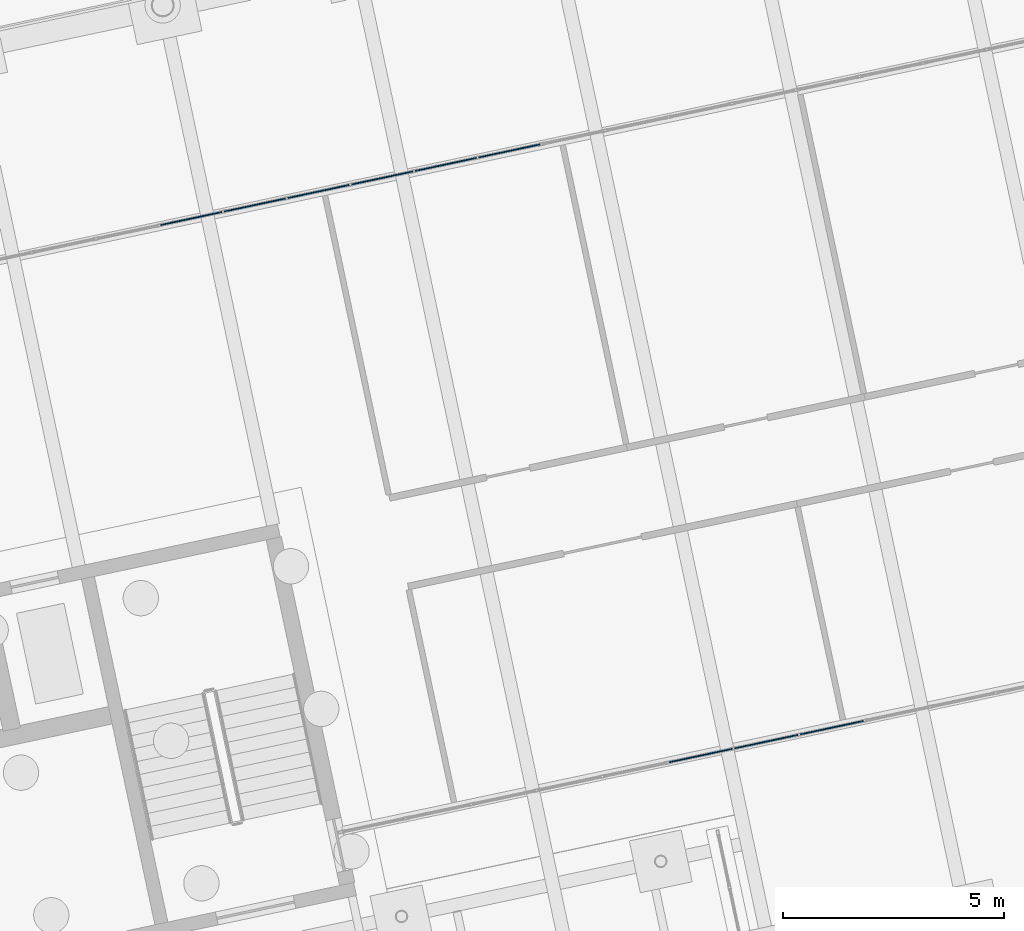
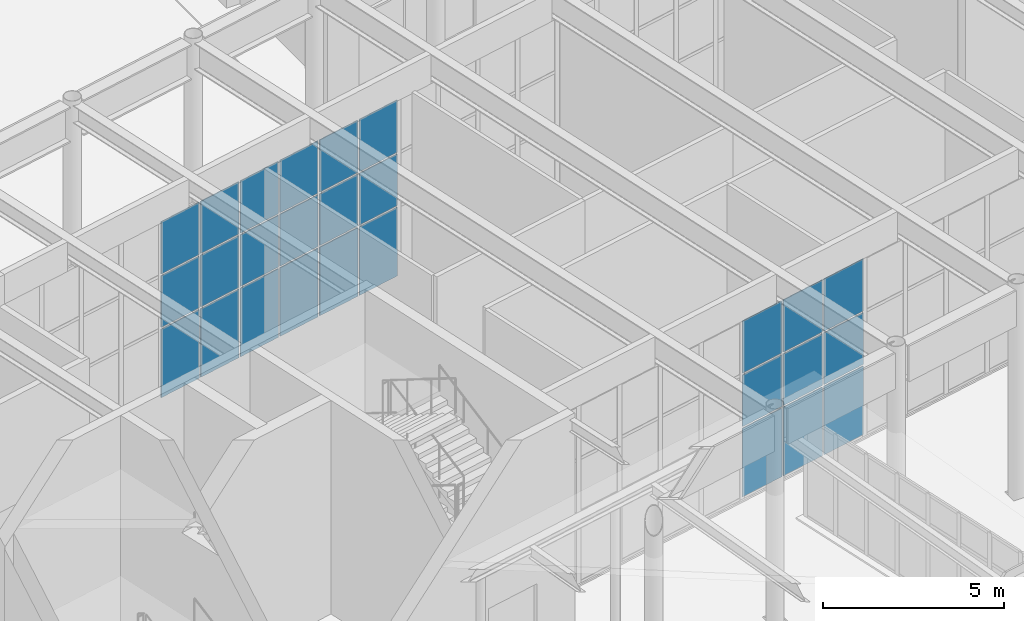
# One storey, part 148 of 239: 27 plates, 2 elements without a shape of their own.
"""IFC4 building model written with IfcOpenShell, lengths in metres."""

from ifc_helpers import new_model, si_unit, direction, frame, origin, origin_2d, place, context, subcontext, project, spatial, rectangle, extrude, material, layer, layer_set, type_object, element, aggregate, save


model = new_model("IFC4")

# Units and contexts
model_context = context("Model", 3, precision=1e-05, world=origin(), true_north=direction((0.0, 1.0)))
body_context = subcontext(model_context, "Body", "Model", "MODEL_VIEW")
ifc_project = project(units=[si_unit("LENGTHUNIT", "METRE"), si_unit("AREAUNIT", "SQUARE_METRE"), si_unit("VOLUMEUNIT", "CUBIC_METRE"), si_unit("PLANEANGLEUNIT", "RADIAN"), si_unit("MASSUNIT", "GRAM", prefix="KILO")], contexts=[model_context])

# Site, building, storey
site_placement = place(None, origin())
site = spatial("IfcSite", under=ifc_project, at=site_placement, CompositionType="ELEMENT")
building_placement = place(site_placement, origin())
building = spatial("IfcBuilding", under=site, at=building_placement, Name="Okhra Congress Centre", CompositionType="ELEMENT")
storey_placement = place(building_placement, origin())
storey = spatial("IfcBuildingStorey", under=building, at=storey_placement, Name="L00", CompositionType="ELEMENT", Elevation=0.0)

# Curtain wall, plates
ifc_material_1 = material(Name="Aluminium curtain wall, triple glazing", Category="aluminium")
curtain_wall_type = type_object("IfcCurtainWallType", Name="Curtain wall 1500 module", PredefinedType="NOTDEFINED", material=ifc_material_1)
curtain_wall_1_placement = place(storey_placement, origin())
curtain_wall_1 = element("IfcCurtainWall", 1, at=curtain_wall_1_placement, inside=storey, type_object=curtain_wall_type, Name="Ground curtain wall S4", PredefinedType="NOTDEFINED")
ifc_material_2 = material(Name="Triple glazing unit, low-e coating, argon fill", Category="glass")
ifc_layer = layer(ifc_material_2, 0.028076171875)
ifc_layer_set = layer_set([ifc_layer], Name="Curtain wall glazing unit 28")
plate_type = type_object("IfcPlateType", Name="Curtain wall glazing unit 28", PredefinedType="CURTAIN_PANEL", material=ifc_layer_set)
plate_1_placement = place(storey_placement, frame((156.2353515625, 52.01318359375, 0.06005859375), z_axis=(0.0, 0.0, 1.0), x_axis=(0.978147600734, 0.207911690818, 0.0)))
plate_1 = element("IfcPlate", 2, at=plate_1_placement, type_object=plate_type, Name="CW7 panel 6.1", PredefinedType="CURTAIN_PANEL", context=body_context, shape_type="SweptSolid", body=[
    extrude(rectangle(XDim=1.45703125, YDim=0.028076171875, at=origin_2d()), origin(), (0.0, 0.0, 1.0), 2.31005859375),
])
plate_2_placement = place(storey_placement, frame((156.2353515625, 52.01318359375, 2.43017578125), z_axis=(0.0, 0.0, 1.0), x_axis=(0.978147600734, 0.207911690818, 0.0)))
plate_2 = element("IfcPlate", 3, at=plate_2_placement, type_object=plate_type, Name="CW7 panel 6.2", PredefinedType="CURTAIN_PANEL", context=body_context, shape_type="SweptSolid", body=[
    extrude(rectangle(XDim=1.45703125, YDim=0.028076171875, at=origin_2d()), origin(), (0.0, 0.0, 1.0), 1.739990234375),
])
plate_3_placement = place(storey_placement, frame((156.2353515625, 52.01318359375, 4.22998046875), z_axis=(0.0, 0.0, 1.0), x_axis=(0.978147600734, 0.207911690818, 0.0)))
plate_3 = element("IfcPlate", 4, at=plate_3_placement, type_object=plate_type, Name="CW7 panel 6.3", PredefinedType="CURTAIN_PANEL", context=body_context, shape_type="SweptSolid", body=[
    extrude(rectangle(XDim=1.45703125, YDim=0.028076171875, at=origin_2d()), origin(), (0.0, 0.0, 1.0), 1.760009765625),
])
plate_4_placement = place(storey_placement, frame((157.71923828125, 52.32861328125, 0.06005859375), z_axis=(0.0, 0.0, 1.0), x_axis=(0.978147600734, 0.207911690818, 0.0)))
plate_4 = element("IfcPlate", 5, at=plate_4_placement, type_object=plate_type, Name="CW7 panel 7.1", PredefinedType="CURTAIN_PANEL", context=body_context, shape_type="SweptSolid", body=[
    extrude(rectangle(XDim=1.45703125, YDim=0.028076171875, at=origin_2d()), origin(), (0.0, 0.0, 1.0), 2.31005859375),
])
plate_5_placement = place(storey_placement, frame((157.71923828125, 52.32861328125, 2.43017578125), z_axis=(0.0, 0.0, 1.0), x_axis=(0.978147600734, 0.207911690818, 0.0)))
plate_5 = element("IfcPlate", 6, at=plate_5_placement, type_object=plate_type, Name="CW7 panel 7.2", PredefinedType="CURTAIN_PANEL", context=body_context, shape_type="SweptSolid", body=[
    extrude(rectangle(XDim=1.45703125, YDim=0.028076171875, at=origin_2d()), origin(), (0.0, 0.0, 1.0), 1.739990234375),
])
plate_6_placement = place(storey_placement, frame((157.71923828125, 52.32861328125, 4.22998046875), z_axis=(0.0, 0.0, 1.0), x_axis=(0.978147600734, 0.207911690818, 0.0)))
plate_6 = element("IfcPlate", 7, at=plate_6_placement, type_object=plate_type, Name="CW7 panel 7.3", PredefinedType="CURTAIN_PANEL", context=body_context, shape_type="SweptSolid", body=[
    extrude(rectangle(XDim=1.45703125, YDim=0.028076171875, at=origin_2d()), origin(), (0.0, 0.0, 1.0), 1.760009765625),
])
plate_7_placement = place(storey_placement, frame((159.203125, 52.64404296875, 0.06005859375), z_axis=(0.0, 0.0, 1.0), x_axis=(0.978147600734, 0.207911690818, 0.0)))
plate_7 = element("IfcPlate", 8, at=plate_7_placement, type_object=plate_type, Name="CW7 panel 8.1", PredefinedType="CURTAIN_PANEL", context=body_context, shape_type="SweptSolid", body=[
    extrude(rectangle(XDim=1.45703125, YDim=0.028076171875, at=origin_2d()), origin(), (0.0, 0.0, 1.0), 2.31005859375),
])
plate_8_placement = place(storey_placement, frame((159.203125, 52.64404296875, 2.43017578125), z_axis=(0.0, 0.0, 1.0), x_axis=(0.978147600734, 0.207911690818, 0.0)))
plate_8 = element("IfcPlate", 9, at=plate_8_placement, type_object=plate_type, Name="CW7 panel 8.2", PredefinedType="CURTAIN_PANEL", context=body_context, shape_type="SweptSolid", body=[
    extrude(rectangle(XDim=1.45703125, YDim=0.028076171875, at=origin_2d()), origin(), (0.0, 0.0, 1.0), 1.739990234375),
])
plate_9_placement = place(storey_placement, frame((159.203125, 52.64404296875, 4.22998046875), z_axis=(0.0, 0.0, 1.0), x_axis=(0.978147600734, 0.207911690818, 0.0)))
plate_9 = element("IfcPlate", 10, at=plate_9_placement, type_object=plate_type, Name="CW7 panel 8.3", PredefinedType="CURTAIN_PANEL", context=body_context, shape_type="SweptSolid", body=[
    extrude(rectangle(XDim=1.45703125, YDim=0.028076171875, at=origin_2d()), origin(), (0.0, 0.0, 1.0), 1.760009765625),
])
aggregate(curtain_wall_1, [plate_1, plate_2, plate_3, plate_4, plate_5, plate_6, plate_7, plate_8, plate_9])

curtain_wall_2_placement = place(storey_placement, origin())
curtain_wall_2 = element("IfcCurtainWall", 11, at=curtain_wall_2_placement, inside=storey, type_object=curtain_wall_type, Name="Ground curtain wall N9", PredefinedType="NOTDEFINED")
plate_10_placement = place(storey_placement, frame((144.700439453125, 64.170654296875, 0.06005859375), z_axis=(0.0, 0.0, 1.0), x_axis=(0.978147600734, 0.207911690818, 0.0)))
plate_10 = element("IfcPlate", 12, at=plate_10_placement, type_object=plate_type, Name="CW7 panel 5.1", PredefinedType="CURTAIN_PANEL", context=body_context, shape_type="SweptSolid", body=[
    extrude(rectangle(XDim=1.4130859375, YDim=0.028076171875, at=origin_2d()), origin(), (0.0, 0.0, 1.0), 2.31005859375),
])
plate_11_placement = place(storey_placement, frame((144.700439453125, 64.170654296875, 2.43017578125), z_axis=(0.0, 0.0, 1.0), x_axis=(0.978147600734, 0.207911690818, 0.0)))
plate_11 = element("IfcPlate", 13, at=plate_11_placement, type_object=plate_type, Name="CW7 panel 5.2", PredefinedType="CURTAIN_PANEL", context=body_context, shape_type="SweptSolid", body=[
    extrude(rectangle(XDim=1.4130859375, YDim=0.028076171875, at=origin_2d()), origin(), (0.0, 0.0, 1.0), 1.739990234375),
])
plate_12_placement = place(storey_placement, frame((144.700439453125, 64.170654296875, 4.22998046875), z_axis=(0.0, 0.0, 1.0), x_axis=(0.978147600734, 0.207911690818, 0.0)))
plate_12 = element("IfcPlate", 14, at=plate_12_placement, type_object=plate_type, Name="CW7 panel 5.3", PredefinedType="CURTAIN_PANEL", context=body_context, shape_type="SweptSolid", body=[
    extrude(rectangle(XDim=1.4130859375, YDim=0.028076171875, at=origin_2d()), origin(), (0.0, 0.0, 1.0), 1.760009765625),
])
plate_13_placement = place(storey_placement, frame((146.141357421875, 64.47705078125, 0.06005859375), z_axis=(0.0, 0.0, 1.0), x_axis=(0.978147600734, 0.207911690818, 0.0)))
plate_13 = element("IfcPlate", 15, at=plate_13_placement, type_object=plate_type, Name="CW7 panel 6.1", PredefinedType="CURTAIN_PANEL", context=body_context, shape_type="SweptSolid", body=[
    extrude(rectangle(XDim=1.4130859375, YDim=0.028076171875, at=origin_2d()), origin(), (0.0, 0.0, 1.0), 2.31005859375),
])
plate_14_placement = place(storey_placement, frame((146.141357421875, 64.47705078125, 2.43017578125), z_axis=(0.0, 0.0, 1.0), x_axis=(0.978147600734, 0.207911690818, 0.0)))
plate_14 = element("IfcPlate", 16, at=plate_14_placement, type_object=plate_type, Name="CW7 panel 6.2", PredefinedType="CURTAIN_PANEL", context=body_context, shape_type="SweptSolid", body=[
    extrude(rectangle(XDim=1.4130859375, YDim=0.028076171875, at=origin_2d()), origin(), (0.0, 0.0, 1.0), 1.739990234375),
])
plate_15_placement = place(storey_placement, frame((146.141357421875, 64.47705078125, 4.22998046875), z_axis=(0.0, 0.0, 1.0), x_axis=(0.978147600734, 0.207911690818, 0.0)))
plate_15 = element("IfcPlate", 17, at=plate_15_placement, type_object=plate_type, Name="CW7 panel 6.3", PredefinedType="CURTAIN_PANEL", context=body_context, shape_type="SweptSolid", body=[
    extrude(rectangle(XDim=1.4130859375, YDim=0.028076171875, at=origin_2d()), origin(), (0.0, 0.0, 1.0), 1.760009765625),
])
plate_16_placement = place(storey_placement, frame((147.58203125, 64.783203125, 0.06005859375), z_axis=(0.0, 0.0, 1.0), x_axis=(0.978147600734, 0.207911690818, 0.0)))
plate_16 = element("IfcPlate", 18, at=plate_16_placement, type_object=plate_type, Name="CW7 panel 7.1", PredefinedType="CURTAIN_PANEL", context=body_context, shape_type="SweptSolid", body=[
    extrude(rectangle(XDim=1.4130859375, YDim=0.028076171875, at=origin_2d()), origin(), (0.0, 0.0, 1.0), 2.31005859375),
])
plate_17_placement = place(storey_placement, frame((147.58203125, 64.783203125, 2.43017578125), z_axis=(0.0, 0.0, 1.0), x_axis=(0.978147600734, 0.207911690818, 0.0)))
plate_17 = element("IfcPlate", 19, at=plate_17_placement, type_object=plate_type, Name="CW7 panel 7.2", PredefinedType="CURTAIN_PANEL", context=body_context, shape_type="SweptSolid", body=[
    extrude(rectangle(XDim=1.4130859375, YDim=0.028076171875, at=origin_2d()), origin(), (0.0, 0.0, 1.0), 1.739990234375),
])
plate_18_placement = place(storey_placement, frame((147.58203125, 64.783203125, 4.22998046875), z_axis=(0.0, 0.0, 1.0), x_axis=(0.978147600734, 0.207911690818, 0.0)))
plate_18 = element("IfcPlate", 20, at=plate_18_placement, type_object=plate_type, Name="CW7 panel 7.3", PredefinedType="CURTAIN_PANEL", context=body_context, shape_type="SweptSolid", body=[
    extrude(rectangle(XDim=1.4130859375, YDim=0.028076171875, at=origin_2d()), origin(), (0.0, 0.0, 1.0), 1.760009765625),
])
plate_19_placement = place(storey_placement, frame((149.02294921875, 65.08935546875, 0.06005859375), z_axis=(0.0, 0.0, 1.0), x_axis=(0.978147600734, 0.207911690818, 0.0)))
plate_19 = element("IfcPlate", 21, at=plate_19_placement, type_object=plate_type, Name="CW7 panel 8.1", PredefinedType="CURTAIN_PANEL", context=body_context, shape_type="SweptSolid", body=[
    extrude(rectangle(XDim=1.4130859375, YDim=0.028076171875, at=origin_2d()), origin(), (0.0, 0.0, 1.0), 2.31005859375),
])
plate_20_placement = place(storey_placement, frame((149.02294921875, 65.08935546875, 2.43017578125), z_axis=(0.0, 0.0, 1.0), x_axis=(0.978147600734, 0.207911690818, 0.0)))
plate_20 = element("IfcPlate", 22, at=plate_20_placement, type_object=plate_type, Name="CW7 panel 8.2", PredefinedType="CURTAIN_PANEL", context=body_context, shape_type="SweptSolid", body=[
    extrude(rectangle(XDim=1.4130859375, YDim=0.028076171875, at=origin_2d()), origin(), (0.0, 0.0, 1.0), 1.739990234375),
])
plate_21_placement = place(storey_placement, frame((149.02294921875, 65.08935546875, 4.22998046875), z_axis=(0.0, 0.0, 1.0), x_axis=(0.978147600734, 0.207911690818, 0.0)))
plate_21 = element("IfcPlate", 23, at=plate_21_placement, type_object=plate_type, Name="CW7 panel 8.3", PredefinedType="CURTAIN_PANEL", context=body_context, shape_type="SweptSolid", body=[
    extrude(rectangle(XDim=1.4130859375, YDim=0.028076171875, at=origin_2d()), origin(), (0.0, 0.0, 1.0), 1.760009765625),
])
plate_22_placement = place(storey_placement, frame((150.463623046875, 65.395751953125, 0.06005859375), z_axis=(0.0, 0.0, 1.0), x_axis=(0.978147600734, 0.207911690818, 0.0)))
plate_22 = element("IfcPlate", 24, at=plate_22_placement, type_object=plate_type, Name="CW7 panel 9.1", PredefinedType="CURTAIN_PANEL", context=body_context, shape_type="SweptSolid", body=[
    extrude(rectangle(XDim=1.4130859375, YDim=0.028076171875, at=origin_2d()), origin(), (0.0, 0.0, 1.0), 2.31005859375),
])
plate_23_placement = place(storey_placement, frame((150.463623046875, 65.395751953125, 2.43017578125), z_axis=(0.0, 0.0, 1.0), x_axis=(0.978147600734, 0.207911690818, 0.0)))
plate_23 = element("IfcPlate", 25, at=plate_23_placement, type_object=plate_type, Name="CW7 panel 9.2", PredefinedType="CURTAIN_PANEL", context=body_context, shape_type="SweptSolid", body=[
    extrude(rectangle(XDim=1.4130859375, YDim=0.028076171875, at=origin_2d()), origin(), (0.0, 0.0, 1.0), 1.739990234375),
])
plate_24_placement = place(storey_placement, frame((150.463623046875, 65.395751953125, 4.22998046875), z_axis=(0.0, 0.0, 1.0), x_axis=(0.978147600734, 0.207911690818, 0.0)))
plate_24 = element("IfcPlate", 26, at=plate_24_placement, type_object=plate_type, Name="CW7 panel 9.3", PredefinedType="CURTAIN_PANEL", context=body_context, shape_type="SweptSolid", body=[
    extrude(rectangle(XDim=1.4130859375, YDim=0.028076171875, at=origin_2d()), origin(), (0.0, 0.0, 1.0), 1.760009765625),
])
plate_25_placement = place(storey_placement, frame((151.904541015625, 65.701904296875, 0.06005859375), z_axis=(0.0, 0.0, 1.0), x_axis=(0.978147600734, 0.207911690818, 0.0)))
plate_25 = element("IfcPlate", 27, at=plate_25_placement, type_object=plate_type, Name="CW7 panel 10.1", PredefinedType="CURTAIN_PANEL", context=body_context, shape_type="SweptSolid", body=[
    extrude(rectangle(XDim=1.4130859375, YDim=0.028076171875, at=origin_2d()), origin(), (0.0, 0.0, 1.0), 2.31005859375),
])
plate_26_placement = place(storey_placement, frame((151.904541015625, 65.701904296875, 2.43017578125), z_axis=(0.0, 0.0, 1.0), x_axis=(0.978147600734, 0.207911690818, 0.0)))
plate_26 = element("IfcPlate", 28, at=plate_26_placement, type_object=plate_type, Name="CW7 panel 10.2", PredefinedType="CURTAIN_PANEL", context=body_context, shape_type="SweptSolid", body=[
    extrude(rectangle(XDim=1.4130859375, YDim=0.028076171875, at=origin_2d()), origin(), (0.0, 0.0, 1.0), 1.739990234375),
])
plate_27_placement = place(storey_placement, frame((151.904541015625, 65.701904296875, 4.22998046875), z_axis=(0.0, 0.0, 1.0), x_axis=(0.978147600734, 0.207911690818, 0.0)))
plate_27 = element("IfcPlate", 29, at=plate_27_placement, type_object=plate_type, Name="CW7 panel 10.3", PredefinedType="CURTAIN_PANEL", context=body_context, shape_type="SweptSolid", body=[
    extrude(rectangle(XDim=1.4130859375, YDim=0.028076171875, at=origin_2d()), origin(), (0.0, 0.0, 1.0), 1.760009765625),
])
aggregate(curtain_wall_2, [plate_10, plate_11, plate_12, plate_13, plate_14, plate_15, plate_16, plate_17, plate_18, plate_19, plate_20, plate_21, plate_22, plate_23, plate_24, plate_25, plate_26, plate_27])

save(model, "model.ifc")
